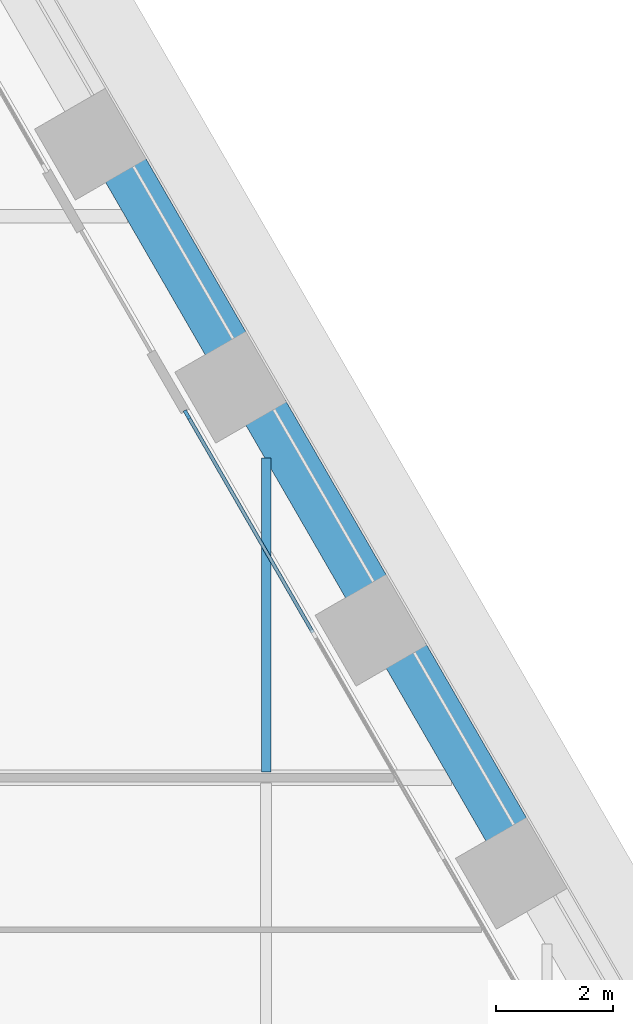
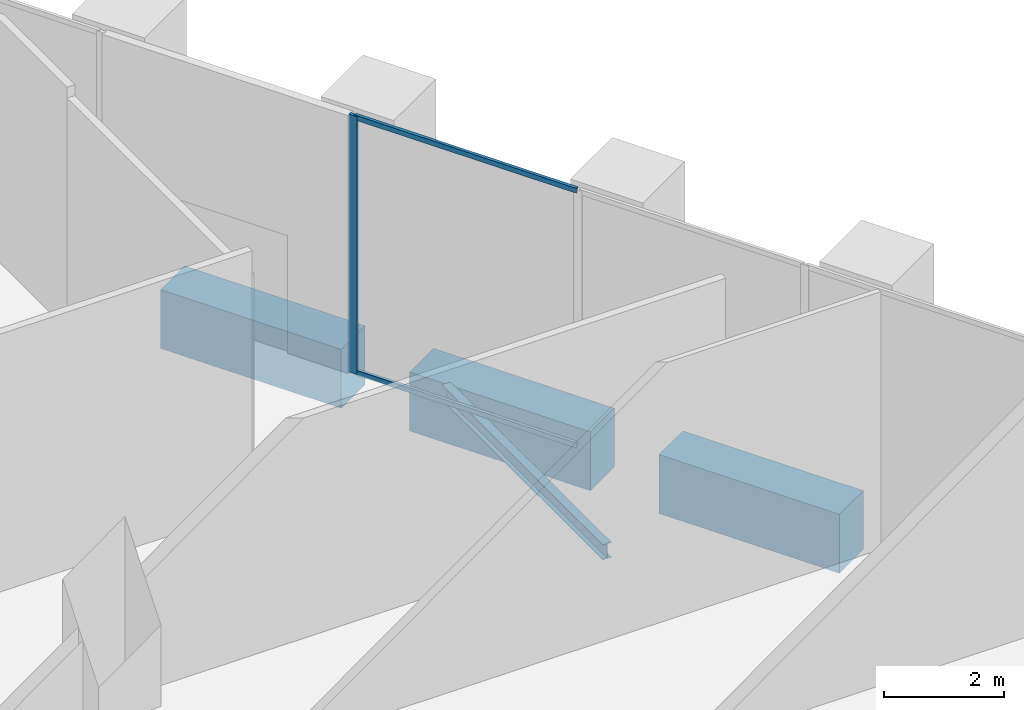
# One storey, part 12 of 27: 4 beams, 3 members, 1 element without a shape of its own.
"""IFC4 building model written with IfcOpenShell, lengths in metres."""

from ifc_helpers import new_model, si_unit, direction, frame, origin, origin_2d, place, context, subcontext, project, spatial, rectangle, i_section, extrude, material, material_profile, profile_set, type_object, element, aggregate, save


model = new_model("IFC4")

# Units and contexts
model_context = context("Model", 3, precision=1e-05, world=origin(), true_north=direction((0.0, 1.0)))
body_context = subcontext(model_context, "Body", "Model", "MODEL_VIEW")
ifc_project = project(units=[si_unit("LENGTHUNIT", "METRE"), si_unit("AREAUNIT", "SQUARE_METRE"), si_unit("VOLUMEUNIT", "CUBIC_METRE"), si_unit("PLANEANGLEUNIT", "RADIAN"), si_unit("MASSUNIT", "GRAM", prefix="KILO")], contexts=[model_context])

# Site, building, storey
site_placement = place(None, origin())
site = spatial("IfcSite", under=ifc_project, at=site_placement, CompositionType="ELEMENT")
building_placement = place(site_placement, origin())
building = spatial("IfcBuilding", under=site, at=building_placement, Name="Kolab Exchange Tower", CompositionType="ELEMENT")
storey_placement = place(building_placement, frame((0.0, 0.0, 44.39990234375)))
storey = spatial("IfcBuildingStorey", under=building, at=storey_placement, Name="L08", CompositionType="ELEMENT", Elevation=44.39990234375)

# Beams
ifc_material_1 = material(Name="Steel S355", Category="steel")
ifc_material_profile_1 = material_profile(ifc_material_1, i_section(OverallWidth=0.1650390625, OverallDepth=0.31005859375, WebThickness=0.005859375, FlangeThickness=0.009765625, at=origin_2d()), Name="W310X39")
ifc_profile_set_1 = profile_set([ifc_material_profile_1], Name="Steel S355")
beam_type_1 = type_object("IfcBeamType", Name="FLOOR BEAM W310X39", PredefinedType="BEAM", material=ifc_profile_set_1)
beam_1_placement = place(storey_placement, frame((28.800048828125, 9.693603515625, -0.40478515625), z_axis=(0.0, 1.0, 0.0), x_axis=(-1.0, 0.0, 0.0)))
element("IfcBeam", 1, at=beam_1_placement, inside=storey, type_object=beam_type_1, Name="beam/L08/fr/061", PredefinedType="BEAM", context=body_context, shape_type="SweptSolid", body=[
    extrude(i_section(OverallWidth=0.1650390625, OverallDepth=0.31005859375, WebThickness=0.005859375, FlangeThickness=0.009765625, at=origin_2d()), origin(), (0.0, 0.0, 1.0), 5.3740234375),
])
ifc_material_2 = material(Name="Concrete C80/95", Category="concrete")
ifc_material_profile_2 = material_profile(ifc_material_2, rectangle(XDim=0.800048828125, YDim=1.199951171875, at=origin_2d()), Name="RC800X1200")
ifc_profile_set_2 = profile_set([ifc_material_profile_2], Name="Concrete C80/95")
beam_type_2 = type_object("IfcBeamType", Name="SPANDREL BEAM 800X1200 C80/95", PredefinedType="BEAM", material=ifc_profile_set_2)
beam_2_placement = place(storey_placement, frame((26.383544921875, 20.012939453125, -0.849853515625), z_axis=(0.500009906705, -0.86601968407, 0.0), x_axis=(0.86601968407, 0.500009906705, 0.0)))
element("IfcBeam", 2, at=beam_2_placement, inside=storey, type_object=beam_type_2, Name="beam/L08/sp/F2-04", PredefinedType="BEAM", context=body_context, shape_type="SweptSolid", body=[
    extrude(rectangle(XDim=0.800048828125, YDim=1.199951171875, at=origin_2d()), origin(), (0.0, 0.0, 1.0), 3.47998046875),
])
for number, where, z_axis, x_axis, name in (
    (3, (28.78369140625, 15.856201171875, -0.849853515625), (0.499979528911, -0.866037222451, 0.0), (0.866037222451, 0.499979528911, 0.0), "beam/L08/sp/F2-05"),
    (4, (31.18359375, 11.69921875, -0.849853515625), (0.499979528911, -0.866037222451, 0.0), (0.866037222451, 0.499979528911, 0.0), "beam/L08/sp/F2-06"),
):
    element("IfcBeam", number, at=place(storey_placement, frame(where, z_axis=z_axis, x_axis=x_axis)), inside=storey, type_object=beam_type_2, Name=name, PredefinedType="BEAM", context=body_context, shape_type="SweptSolid", body=[
        extrude(rectangle(XDim=0.800048828125, YDim=1.199951171875, at=origin_2d()), origin(), (0.0, 0.0, 1.0), 3.480224609375),
    ])

# Curtain wall, members
ifc_material_3 = material(Name="Aluminium EN AW-6063 T6", Category="aluminium")
curtain_wall_type = type_object("IfcCurtainWallType", Name="UNITISED LOW ZONE CURTAIN WALL", PredefinedType="NOTDEFINED", material=ifc_material_3)
curtain_wall_placement = place(storey_placement, origin())
curtain_wall = element("IfcCurtainWall", 5, at=curtain_wall_placement, inside=storey, type_object=curtain_wall_type, Name="cw/L08/F2-2", PredefinedType="NOTDEFINED")
ifc_material_profile_3 = material_profile(ifc_material_3, rectangle(XDim=0.06005859375, YDim=0.159912109375, at=origin_2d()), Name="RECT 60X160")
ifc_profile_set_3 = profile_set([ifc_material_profile_3], Name="Aluminium EN AW-6063 T6")
member_type_1 = type_object("IfcMemberType", Name="UNITISED LOW ZONE MULLION 60 X 160", PredefinedType="MULLION", material=ifc_profile_set_3)
member_1_placement = place(storey_placement, frame((27.44677734375, 15.811767578125, 0.0), z_axis=(0.0, 0.0, 1.0), x_axis=(0.866025422102, 0.499999968274, 0.0)))
member_1 = element("IfcMember", 6, at=member_1_placement, type_object=member_type_1, Name="CW1 mullion 1", PredefinedType="MULLION", context=body_context, shape_type="SweptSolid", body=[
    extrude(rectangle(XDim=0.06005859375, YDim=0.159912109375, at=origin_2d()), origin(), (0.0, 0.0, 1.0), 5.25),
])
ifc_material_profile_4 = material_profile(ifc_material_3, rectangle(XDim=0.06005859375, YDim=0.10009765625, at=origin_2d()), Name="RECT 60X100")
ifc_profile_set_4 = profile_set([ifc_material_profile_4], Name="Aluminium EN AW-6063 T6")
member_type_2 = type_object("IfcMemberType", Name="UNITISED LOW ZONE TRANSOM 60 X 100", PredefinedType="USERDEFINED", material=ifc_profile_set_4)
member_2_placement = place(storey_placement, frame((27.461669921875, 15.78564453125, 0.030029296875), z_axis=(0.500000816281, -0.866024932504, 0.0), x_axis=(0.866024932504, 0.500000816281, 0.0)))
member_2 = element("IfcMember", 7, at=member_2_placement, type_object=member_type_2, Name="CW1 transom 1.1", ObjectType="TRANSOM", PredefinedType="USERDEFINED", context=body_context, shape_type="SweptSolid", body=[
    extrude(rectangle(XDim=0.06005859375, YDim=0.10009765625, at=origin_2d()), origin(), (0.0, 0.0, 1.0), 4.27685546875),
])
member_3_placement = place(storey_placement, frame((27.461669921875, 15.78564453125, 5.22021484375), z_axis=(0.500000816281, -0.866024932504, 0.0), x_axis=(0.866024932504, 0.500000816281, 0.0)))
member_3 = element("IfcMember", 8, at=member_3_placement, type_object=member_type_2, Name="CW1 transom 1.2", ObjectType="TRANSOM", PredefinedType="USERDEFINED", context=body_context, shape_type="SweptSolid", body=[
    extrude(rectangle(XDim=0.06005859375, YDim=0.10009765625, at=origin_2d()), origin(), (0.0, 0.0, 1.0), 4.27685546875),
])
aggregate(curtain_wall, [member_1, member_2, member_3])

save(model, "model.ifc")
